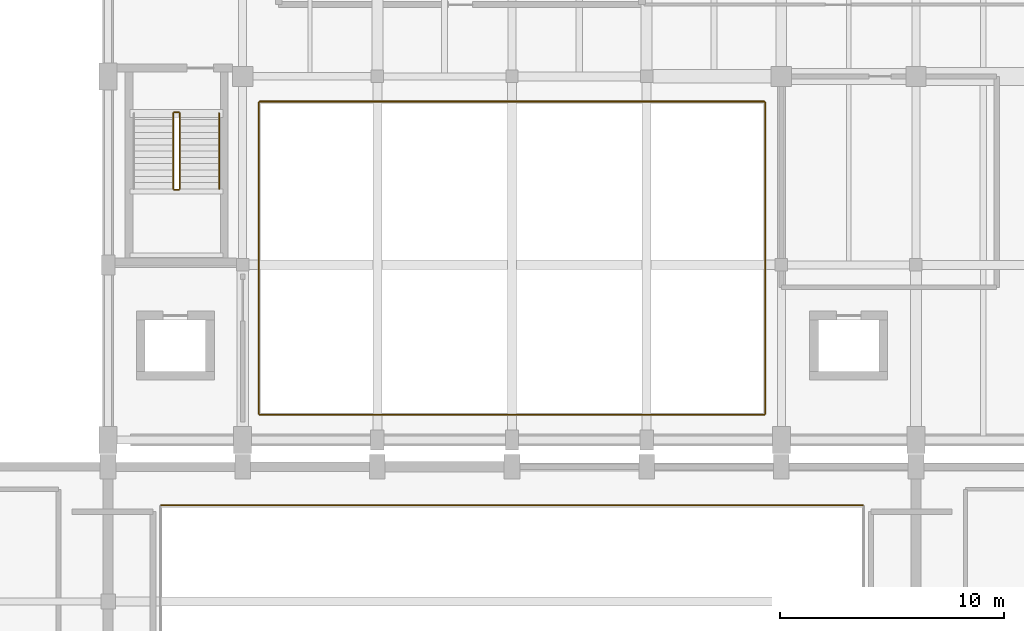
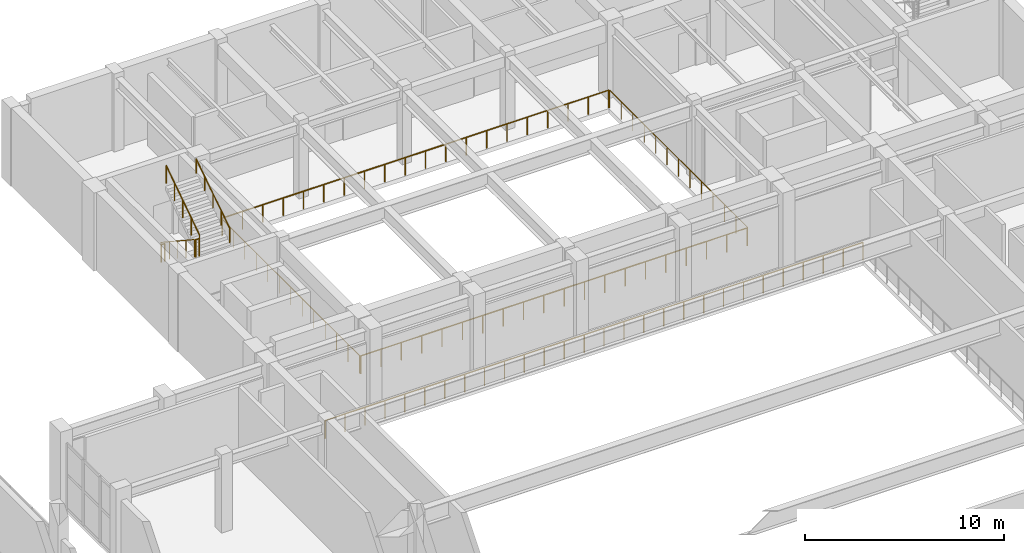
# One storey, part 60 of 62: 10 railings.
"""IFC4 building model written with IfcOpenShell, lengths in metres."""

import ifcopenshell
import ifcopenshell.guid

model = None  # the IFC model being written
_history = None  # IfcOwnerHistory: only IFC2X3 demands one
_inside = {}  # id of a spatial element -> (the spatial element, [elements in it])
_under = {}  # id of a project, library or spatial element -> (it, [spatial elements below it])
_declared = {}  # id of a project -> (the project, [libraries it declares])
_typed = {}  # id of a type object -> (the type object, [elements of that type])
_made_of = {}  # id of a material, layer set ... -> (it, [elements and type objects made of it])


def new_model(schema):
    """Start an empty IFC model of exactly this schema.

    Asked for "IFC4X3", IfcOpenShell would pick the latest addendum, in which some entities
    have other attributes; the version numbers below select the first issue.
    IFC2X3 requires an IfcOwnerHistory on every rooted entity: one is made here for all.
    """
    global model, _history
    if schema == "IFC4X3":
        model = ifcopenshell.file(schema_version=(4, 3, 0, 0))
    else:
        model = ifcopenshell.file(schema=schema)
    _inside.clear()
    _under.clear()
    _declared.clear()
    _typed.clear()
    _made_of.clear()
    _history = None
    if model.schema == "IFC2X3":
        org = make("IfcOrganization", Name="unknown")
        user = make(
            "IfcPersonAndOrganization",
            ThePerson=make("IfcPerson", FamilyName="unknown"),
            TheOrganization=org,
        )
        app = make(
            "IfcApplication",
            ApplicationDeveloper=org,
            Version="unknown",
            ApplicationFullName="unknown",
            ApplicationIdentifier="unknown",
        )
        _history = make(
            "IfcOwnerHistory",
            OwningUser=user,
            OwningApplication=app,
            ChangeAction="ADDED",
            CreationDate=0,
        )
    return model


def make(cls, **values):
    """One entity of the class cls with the attributes given. An attribute that is None is left unset."""
    return model.create_entity(
        cls, **{name: value for name, value in values.items() if value is not None}
    )


def rooted(cls, **values):
    """An entity with a GlobalId (a new one), such as an element, a storey or a relation."""
    return make(cls, GlobalId=ifcopenshell.guid.new(), OwnerHistory=_history, **values)


def si_unit(unit_type, name, prefix=None):
    """IfcSIUnit, for example si_unit("LENGTHUNIT", "METRE", prefix="MILLI")."""
    return make("IfcSIUnit", UnitType=unit_type, Prefix=prefix, Name=name)


def assignment(units):
    """IfcUnitAssignment: the units of a project."""
    return None if units is None else make("IfcUnitAssignment", Units=units)


def point(xyz):
    """IfcCartesianPoint."""
    return None if xyz is None else make("IfcCartesianPoint", Coordinates=xyz)


def direction(xyz):
    """IfcDirection."""
    return None if xyz is None else make("IfcDirection", DirectionRatios=xyz)


def frame(location, z_axis=None, x_axis=None):
    """IfcAxis2Placement3D, a coordinate frame: its origin and axes. An axis left out is left unset."""
    return make(
        "IfcAxis2Placement3D",
        Location=point(location),
        Axis=direction(z_axis),
        RefDirection=direction(x_axis),
    )


def frame_2d(location, x_axis=None):
    """IfcAxis2Placement2D, a coordinate frame in the plane: its origin and x axis."""
    return make(
        "IfcAxis2Placement2D", Location=point(location), RefDirection=direction(x_axis)
    )


def origin():
    """The frame at (0, 0, 0) with its axes left unset."""
    return frame((0.0, 0.0, 0.0))


def origin_2d():
    """The frame at (0, 0) in the plane with its x axis left unset."""
    return frame_2d((0.0, 0.0))


def place(relative_to, where):
    """IfcLocalPlacement: puts the frame where relative to a parent placement (None: the world)."""
    return make(
        "IfcLocalPlacement", PlacementRelTo=relative_to, RelativePlacement=where
    )


def context(
    kind, dimensions, precision=None, world=None, true_north=None, identifier=None
):
    """IfcGeometricRepresentationContext, for example the 3D "Model" context."""
    return make(
        "IfcGeometricRepresentationContext",
        ContextIdentifier=identifier,
        ContextType=kind,
        CoordinateSpaceDimension=dimensions,
        Precision=precision,
        WorldCoordinateSystem=world,
        TrueNorth=true_north,
    )


def subcontext(parent, identifier, kind, view, scale=None):
    """IfcGeometricRepresentationSubContext, for example "Body" below "Model"."""
    return make(
        "IfcGeometricRepresentationSubContext",
        ContextIdentifier=identifier,
        ContextType=kind,
        ParentContext=parent,
        TargetScale=scale,
        TargetView=view,
    )


def project(units=None, contexts=None):
    """IfcProject with its units and contexts."""
    return rooted(
        "IfcProject",
        Name="project",
        RepresentationContexts=contexts,
        UnitsInContext=assignment(units),
    )


def spatial(cls, under=None, at=None, **own):
    """A site, building, storey or space (cls), placed at a placement, below another one or the project."""
    s = rooted(cls, ObjectPlacement=at, **own)
    if under is not None:
        _under.setdefault(under.id(), (under, []))[1].append(s)
    return s


def profile(cls, at=None, kind="AREA", **sizes):
    """A parametric profile (cls). Its sizes go by their IFC names, for example OverallWidth=200.0."""
    return make(cls, ProfileType=kind, Position=at, **sizes)


def circle(**sizes):
    """IfcCircleProfileDef."""
    return profile("IfcCircleProfileDef", **sizes)


def extrude(swept, where, along, depth):
    """IfcExtrudedAreaSolid: the profile swept, set in the frame where, extruded along a direction by depth."""
    return make(
        "IfcExtrudedAreaSolid",
        SweptArea=swept,
        Position=where,
        ExtrudedDirection=direction(along),
        Depth=depth,
    )


def shape(context_of_items, identifier, shape_type, items):
    """IfcShapeRepresentation: the items that make up one representation, for example the "Body"."""
    return make(
        "IfcShapeRepresentation",
        ContextOfItems=context_of_items,
        RepresentationIdentifier=identifier,
        RepresentationType=shape_type,
        Items=items,
    )


def material(Name=None, Category=None):
    """IfcMaterial."""
    return make("IfcMaterial", Name=Name, Category=Category)


def made_of(thing, what):
    """Note that an element or type object is made of a material, layer set ...; save() writes the relation."""
    if what is not None:
        _made_of.setdefault(what.id(), (what, []))[1].append(thing)
    return thing


def type_object(cls, material=None, **own):
    """A type object (cls), such as IfcWallType, which elements share."""
    return made_of(rooted(cls, **own), material)


def element(
    cls,
    number,
    at=None,
    inside=None,
    cuts=None,
    type_object=None,
    material=None,
    context=None,
    identifier="Body",
    shape_type=None,
    held_by="IfcProductDefinitionShape",
    body=None,
    shapes=None,
    **own,
):
    """One element of the class cls, such as IfcWall. Its Tag is "e" and its number.

    at: its placement. inside: the storey or other place that contains it. cuts: it is an
    opening in that element (IfcRelVoidsElement). A single representation is given by context,
    identifier, shape_type and body (its items); several are given by shapes. held_by: the class
    of the entity that holds the representations. save() writes the other relations.
    """
    e = rooted(cls, Tag="e%d" % number, ObjectPlacement=at, **own)
    if body is not None:
        shapes = [shape(context, identifier, shape_type, body)]
    if shapes is not None:
        e.Representation = make(held_by, Representations=shapes)
    if inside is not None:
        _inside.setdefault(inside.id(), (inside, []))[1].append(e)
    if cuts is not None:
        rooted(
            "IfcRelVoidsElement", RelatingBuildingElement=cuts, RelatedOpeningElement=e
        )
    if type_object is not None:
        _typed.setdefault(type_object.id(), (type_object, []))[1].append(e)
    return made_of(e, material)


def aggregate(whole, parts):
    """IfcRelAggregates: a whole, such as a stair, and the parts it consists of."""
    return rooted("IfcRelAggregates", RelatingObject=whole, RelatedObjects=parts)


def save(model, path):
    """Write the relations noted so far, then the file.

    IfcRelAggregates (storeys below a building ...), IfcRelContainedInSpatialStructure (elements
    in a storey), IfcRelDefinesByType, IfcRelAssociatesMaterial and IfcRelDeclares: one each for
    every whole, place, type object, material and project.
    """
    for whole, parts in _under.values():
        aggregate(whole, parts)
    for where, things in _inside.values():
        rooted(
            "IfcRelContainedInSpatialStructure",
            RelatedElements=things,
            RelatingStructure=where,
        )
    for kind, things in _typed.values():
        rooted("IfcRelDefinesByType", RelatedObjects=things, RelatingType=kind)
    for what, things in _made_of.values():
        rooted("IfcRelAssociatesMaterial", RelatedObjects=things, RelatingMaterial=what)
    for by, libraries in _declared.values():
        rooted("IfcRelDeclares", RelatingContext=by, RelatedDefinitions=libraries)
    model.write(path)


model = new_model("IFC4")

# Units and contexts
model_context = context("Model", 3, precision=1e-05, world=origin(), true_north=direction((0.0, 1.0)))
body_context = subcontext(model_context, "Body", "Model", "MODEL_VIEW")
ifc_project = project(units=[si_unit("LENGTHUNIT", "METRE"), si_unit("AREAUNIT", "SQUARE_METRE"), si_unit("VOLUMEUNIT", "CUBIC_METRE"), si_unit("PLANEANGLEUNIT", "RADIAN"), si_unit("MASSUNIT", "GRAM", prefix="KILO")], contexts=[model_context])

# Site, building, storey
site_placement = place(None, origin())
site = spatial("IfcSite", under=ifc_project, at=site_placement, CompositionType="ELEMENT")
building_placement = place(site_placement, origin())
building = spatial("IfcBuilding", under=site, at=building_placement, Name="Vaelkrest Opera House", CompositionType="ELEMENT")
storey_placement = place(building_placement, frame((0.0, 0.0, 19.800048828125)))
storey = spatial("IfcBuildingStorey", under=building, at=storey_placement, Name="L04", CompositionType="ELEMENT", Elevation=19.800048828125)

# Railings
ifc_material = material(Name="Dark bronze anodized aluminium", Category="aluminium")
railing_type_1 = type_object("IfcRailingType", Name="BL01", PredefinedType="BALUSTRADE", material=ifc_material)
railing_1_placement = place(storey_placement, frame((15.639892578125, 14.47998046875, 0.0)))
element("IfcRailing", 1, at=railing_1_placement, inside=storey, type_object=railing_type_1, Name="Atrium/stage void guard V1 L04-1 seg 3", PredefinedType="BALUSTRADE", context=body_context, shape_type="SweptSolid", body=[
    extrude(circle(Radius=0.02392578125, at=origin_2d()), frame((0.0, 0.0, 1.09619140625), z_axis=(-1.0, 0.0, 0.0), x_axis=(0.0, -1.0, 0.0)), (0.0, 0.0, 1.0), 31.27978515625),
    extrude(circle(Radius=0.02099609375, at=origin_2d()), origin(), (0.0, 0.0, 1.0), 1.072021484375),
    extrude(circle(Radius=0.02099609375, at=origin_2d()), frame((-1.158447265625, 0.0, 0.0)), (0.0, 0.0, 1.0), 1.072021484375),
    extrude(circle(Radius=0.02099609375, at=origin_2d()), frame((-2.317138671875, 0.0, 0.0)), (0.0, 0.0, 1.0), 1.072021484375),
    extrude(circle(Radius=0.02099609375, at=origin_2d()), frame((-3.4755859375, 0.0, 0.0)), (0.0, 0.0, 1.0), 1.072021484375),
    extrude(circle(Radius=0.02099609375, at=origin_2d()), frame((-4.634033203125, 0.0, 0.0)), (0.0, 0.0, 1.0), 1.072021484375),
    extrude(circle(Radius=0.02099609375, at=origin_2d()), frame((-5.79248046875, 0.0, 0.0)), (0.0, 0.0, 1.0), 1.072021484375),
    extrude(circle(Radius=0.02099609375, at=origin_2d()), frame((-6.951171875, 0.0, 0.0)), (0.0, 0.0, 1.0), 1.072021484375),
    extrude(circle(Radius=0.02099609375, at=origin_2d()), frame((-8.109619140625, 0.0, 0.0)), (0.0, 0.0, 1.0), 1.072021484375),
    extrude(circle(Radius=0.02099609375, at=origin_2d()), frame((-9.26806640625, 0.0, 0.0)), (0.0, 0.0, 1.0), 1.072021484375),
    extrude(circle(Radius=0.02099609375, at=origin_2d()), frame((-10.426513671875, 0.0, 0.0)), (0.0, 0.0, 1.0), 1.072021484375),
    extrude(circle(Radius=0.02099609375, at=origin_2d()), frame((-11.585205078125, 0.0, 0.0)), (0.0, 0.0, 1.0), 1.072021484375),
    extrude(circle(Radius=0.02099609375, at=origin_2d()), frame((-12.74365234375, 0.0, 0.0)), (0.0, 0.0, 1.0), 1.072021484375),
    extrude(circle(Radius=0.02099609375, at=origin_2d()), frame((-13.902099609375, 0.0, 0.0)), (0.0, 0.0, 1.0), 1.072021484375),
    extrude(circle(Radius=0.02099609375, at=origin_2d()), frame((-15.060546875, 0.0, 0.0)), (0.0, 0.0, 1.0), 1.072021484375),
    extrude(circle(Radius=0.02099609375, at=origin_2d()), frame((-16.21923828125, 0.0, 0.0)), (0.0, 0.0, 1.0), 1.072021484375),
    extrude(circle(Radius=0.02099609375, at=origin_2d()), frame((-17.377685546875, 0.0, 0.0)), (0.0, 0.0, 1.0), 1.072021484375),
    extrude(circle(Radius=0.02099609375, at=origin_2d()), frame((-18.5361328125, 0.0, 0.0)), (0.0, 0.0, 1.0), 1.072021484375),
    extrude(circle(Radius=0.02099609375, at=origin_2d()), frame((-19.694580078125, 0.0, 0.0)), (0.0, 0.0, 1.0), 1.072021484375),
    extrude(circle(Radius=0.02099609375, at=origin_2d()), frame((-20.853271484375, 0.0, 0.0)), (0.0, 0.0, 1.0), 1.072021484375),
    extrude(circle(Radius=0.02099609375, at=origin_2d()), frame((-22.01171875, 0.0, 0.0)), (0.0, 0.0, 1.0), 1.072021484375),
    extrude(circle(Radius=0.02099609375, at=origin_2d()), frame((-23.170166015625, 0.0, 0.0)), (0.0, 0.0, 1.0), 1.072021484375),
    extrude(circle(Radius=0.02099609375, at=origin_2d()), frame((-24.32861328125, 0.0, 0.0)), (0.0, 0.0, 1.0), 1.072021484375),
    extrude(circle(Radius=0.02099609375, at=origin_2d()), frame((-25.4873046875, 0.0, 0.0)), (0.0, 0.0, 1.0), 1.072021484375),
    extrude(circle(Radius=0.02099609375, at=origin_2d()), frame((-26.645751953125, 0.0, 0.0)), (0.0, 0.0, 1.0), 1.072021484375),
    extrude(circle(Radius=0.02099609375, at=origin_2d()), frame((-27.80419921875, 0.0, 0.0)), (0.0, 0.0, 1.0), 1.072021484375),
    extrude(circle(Radius=0.02099609375, at=origin_2d()), frame((-28.962646484375, 0.0, 0.0)), (0.0, 0.0, 1.0), 1.072021484375),
    extrude(circle(Radius=0.02099609375, at=origin_2d()), frame((-30.121337890625, 0.0, 0.0)), (0.0, 0.0, 1.0), 1.072021484375),
    extrude(circle(Radius=0.02099609375, at=origin_2d()), frame((-31.27978515625, 0.0, 0.0)), (0.0, 0.0, 1.0), 1.072021484375),
])
railing_type_2 = type_object("IfcRailingType", Name="GR01", PredefinedType="GUARDRAIL", material=ifc_material)
railing_2_placement = place(storey_placement, frame((-11.239990234375, 18.52001953125, 0.0)))
element("IfcRailing", 2, at=railing_2_placement, inside=storey, type_object=railing_type_2, Name="Atrium/stage void guard V2 L04-1 seg 1", PredefinedType="GUARDRAIL", context=body_context, shape_type="SweptSolid", body=[
    extrude(circle(Radius=0.02392578125, at=origin_2d()), frame((0.0, 0.0, 1.076171875), z_axis=(1.0, 0.0, 0.0), x_axis=(0.0, 1.0, 0.0)), (0.0, 0.0, 1.0), 22.47998046875),
    extrude(circle(Radius=0.02099609375, at=origin_2d()), origin(), (0.0, 0.0, 1.0), 1.052001953125),
    extrude(circle(Radius=0.02099609375, at=origin_2d()), frame((1.18310546875, 0.0, 0.0)), (0.0, 0.0, 1.0), 1.052001953125),
    extrude(circle(Radius=0.02099609375, at=origin_2d()), frame((2.3662109375, 0.0, 0.0)), (0.0, 0.0, 1.0), 1.052001953125),
    extrude(circle(Radius=0.02099609375, at=origin_2d()), frame((3.549560546875, 0.0, 0.0)), (0.0, 0.0, 1.0), 1.052001953125),
    extrude(circle(Radius=0.02099609375, at=origin_2d()), frame((4.732666015625, 0.0, 0.0)), (0.0, 0.0, 1.0), 1.052001953125),
    extrude(circle(Radius=0.02099609375, at=origin_2d()), frame((5.915771484375, 0.0, 0.0)), (0.0, 0.0, 1.0), 1.052001953125),
    extrude(circle(Radius=0.02099609375, at=origin_2d()), frame((7.098876953125, 0.0, 0.0)), (0.0, 0.0, 1.0), 1.052001953125),
    extrude(circle(Radius=0.02099609375, at=origin_2d()), frame((8.281982421875, 0.0, 0.0)), (0.0, 0.0, 1.0), 1.052001953125),
    extrude(circle(Radius=0.02099609375, at=origin_2d()), frame((9.46533203125, 0.0, 0.0)), (0.0, 0.0, 1.0), 1.052001953125),
    extrude(circle(Radius=0.02099609375, at=origin_2d()), frame((10.6484375, 0.0, 0.0)), (0.0, 0.0, 1.0), 1.052001953125),
    extrude(circle(Radius=0.02099609375, at=origin_2d()), frame((11.83154296875, 0.0, 0.0)), (0.0, 0.0, 1.0), 1.052001953125),
    extrude(circle(Radius=0.02099609375, at=origin_2d()), frame((13.0146484375, 0.0, 0.0)), (0.0, 0.0, 1.0), 1.052001953125),
    extrude(circle(Radius=0.02099609375, at=origin_2d()), frame((14.197998046875, 0.0, 0.0)), (0.0, 0.0, 1.0), 1.052001953125),
    extrude(circle(Radius=0.02099609375, at=origin_2d()), frame((15.381103515625, 0.0, 0.0)), (0.0, 0.0, 1.0), 1.052001953125),
    extrude(circle(Radius=0.02099609375, at=origin_2d()), frame((16.564208984375, 0.0, 0.0)), (0.0, 0.0, 1.0), 1.052001953125),
    extrude(circle(Radius=0.02099609375, at=origin_2d()), frame((17.747314453125, 0.0, 0.0)), (0.0, 0.0, 1.0), 1.052001953125),
    extrude(circle(Radius=0.02099609375, at=origin_2d()), frame((18.930419921875, 0.0, 0.0)), (0.0, 0.0, 1.0), 1.052001953125),
    extrude(circle(Radius=0.02099609375, at=origin_2d()), frame((20.11376953125, 0.0, 0.0)), (0.0, 0.0, 1.0), 1.052001953125),
    extrude(circle(Radius=0.02099609375, at=origin_2d()), frame((21.296875, 0.0, 0.0)), (0.0, 0.0, 1.0), 1.052001953125),
    extrude(circle(Radius=0.02099609375, at=origin_2d()), frame((22.47998046875, 0.0, 0.0)), (0.0, 0.0, 1.0), 1.052001953125),
])
railing_3_placement = place(storey_placement, frame((11.280029296875, 18.56005859375, 0.0)))
element("IfcRailing", 3, at=railing_3_placement, inside=storey, type_object=railing_type_2, Name="Atrium/stage void guard V2 L04-1 seg 2", PredefinedType="GUARDRAIL", context=body_context, shape_type="SweptSolid", body=[
    extrude(circle(Radius=0.02392578125, at=origin_2d()), frame((0.0, 0.0, 1.076171875), z_axis=(0.0, 1.0, 0.0), x_axis=(-1.0, 0.0, 0.0)), (0.0, 0.0, 1.0), 13.8798828125),
    extrude(circle(Radius=0.02099609375, at=origin_2d()), origin(), (0.0, 0.0, 1.0), 1.052001953125),
    extrude(circle(Radius=0.02099609375, at=origin_2d()), frame((0.0, 1.15673828125, 0.0)), (0.0, 0.0, 1.0), 1.052001953125),
    extrude(circle(Radius=0.02099609375, at=origin_2d()), frame((0.0, 2.313232421875, 0.0)), (0.0, 0.0, 1.0), 1.052001953125),
    extrude(circle(Radius=0.02099609375, at=origin_2d()), frame((0.0, 3.469970703125, 0.0)), (0.0, 0.0, 1.0), 1.052001953125),
    extrude(circle(Radius=0.02099609375, at=origin_2d()), frame((0.0, 4.626708984375, 0.0)), (0.0, 0.0, 1.0), 1.052001953125),
    extrude(circle(Radius=0.02099609375, at=origin_2d()), frame((0.0, 5.783203125, 0.0)), (0.0, 0.0, 1.0), 1.052001953125),
    extrude(circle(Radius=0.02099609375, at=origin_2d()), frame((0.0, 6.93994140625, 0.0)), (0.0, 0.0, 1.0), 1.052001953125),
    extrude(circle(Radius=0.02099609375, at=origin_2d()), frame((0.0, 8.0966796875, 0.0)), (0.0, 0.0, 1.0), 1.052001953125),
    extrude(circle(Radius=0.02099609375, at=origin_2d()), frame((0.0, 9.253173828125, 0.0)), (0.0, 0.0, 1.0), 1.052001953125),
    extrude(circle(Radius=0.02099609375, at=origin_2d()), frame((0.0, 10.409912109375, 0.0)), (0.0, 0.0, 1.0), 1.052001953125),
    extrude(circle(Radius=0.02099609375, at=origin_2d()), frame((0.0, 11.566650390625, 0.0)), (0.0, 0.0, 1.0), 1.052001953125),
    extrude(circle(Radius=0.02099609375, at=origin_2d()), frame((0.0, 12.72314453125, 0.0)), (0.0, 0.0, 1.0), 1.052001953125),
    extrude(circle(Radius=0.02099609375, at=origin_2d()), frame((0.0, 13.8798828125, 0.0)), (0.0, 0.0, 1.0), 1.052001953125),
])
railing_4_placement = place(storey_placement, frame((11.239990234375, 32.47998046875, 0.0)))
element("IfcRailing", 4, at=railing_4_placement, inside=storey, type_object=railing_type_2, Name="Atrium/stage void guard V2 L04-1 seg 3", PredefinedType="GUARDRAIL", context=body_context, shape_type="SweptSolid", body=[
    extrude(circle(Radius=0.02392578125, at=origin_2d()), frame((0.0, 0.0, 1.076171875), z_axis=(-1.0, 0.0, 0.0), x_axis=(0.0, -1.0, 0.0)), (0.0, 0.0, 1.0), 22.47998046875),
    extrude(circle(Radius=0.02099609375, at=origin_2d()), origin(), (0.0, 0.0, 1.0), 1.052001953125),
    extrude(circle(Radius=0.02099609375, at=origin_2d()), frame((-1.18310546875, 0.0, 0.0)), (0.0, 0.0, 1.0), 1.052001953125),
    extrude(circle(Radius=0.02099609375, at=origin_2d()), frame((-2.3662109375, 0.0, 0.0)), (0.0, 0.0, 1.0), 1.052001953125),
    extrude(circle(Radius=0.02099609375, at=origin_2d()), frame((-3.549560546875, 0.0, 0.0)), (0.0, 0.0, 1.0), 1.052001953125),
    extrude(circle(Radius=0.02099609375, at=origin_2d()), frame((-4.732666015625, 0.0, 0.0)), (0.0, 0.0, 1.0), 1.052001953125),
    extrude(circle(Radius=0.02099609375, at=origin_2d()), frame((-5.915771484375, 0.0, 0.0)), (0.0, 0.0, 1.0), 1.052001953125),
    extrude(circle(Radius=0.02099609375, at=origin_2d()), frame((-7.098876953125, 0.0, 0.0)), (0.0, 0.0, 1.0), 1.052001953125),
    extrude(circle(Radius=0.02099609375, at=origin_2d()), frame((-8.281982421875, 0.0, 0.0)), (0.0, 0.0, 1.0), 1.052001953125),
    extrude(circle(Radius=0.02099609375, at=origin_2d()), frame((-9.46533203125, 0.0, 0.0)), (0.0, 0.0, 1.0), 1.052001953125),
    extrude(circle(Radius=0.02099609375, at=origin_2d()), frame((-10.6484375, 0.0, 0.0)), (0.0, 0.0, 1.0), 1.052001953125),
    extrude(circle(Radius=0.02099609375, at=origin_2d()), frame((-11.83154296875, 0.0, 0.0)), (0.0, 0.0, 1.0), 1.052001953125),
    extrude(circle(Radius=0.02099609375, at=origin_2d()), frame((-13.0146484375, 0.0, 0.0)), (0.0, 0.0, 1.0), 1.052001953125),
    extrude(circle(Radius=0.02099609375, at=origin_2d()), frame((-14.197998046875, 0.0, 0.0)), (0.0, 0.0, 1.0), 1.052001953125),
    extrude(circle(Radius=0.02099609375, at=origin_2d()), frame((-15.381103515625, 0.0, 0.0)), (0.0, 0.0, 1.0), 1.052001953125),
    extrude(circle(Radius=0.02099609375, at=origin_2d()), frame((-16.564208984375, 0.0, 0.0)), (0.0, 0.0, 1.0), 1.052001953125),
    extrude(circle(Radius=0.02099609375, at=origin_2d()), frame((-17.747314453125, 0.0, 0.0)), (0.0, 0.0, 1.0), 1.052001953125),
    extrude(circle(Radius=0.02099609375, at=origin_2d()), frame((-18.930419921875, 0.0, 0.0)), (0.0, 0.0, 1.0), 1.052001953125),
    extrude(circle(Radius=0.02099609375, at=origin_2d()), frame((-20.11376953125, 0.0, 0.0)), (0.0, 0.0, 1.0), 1.052001953125),
    extrude(circle(Radius=0.02099609375, at=origin_2d()), frame((-21.296875, 0.0, 0.0)), (0.0, 0.0, 1.0), 1.052001953125),
    extrude(circle(Radius=0.02099609375, at=origin_2d()), frame((-22.47998046875, 0.0, 0.0)), (0.0, 0.0, 1.0), 1.052001953125),
])
railing_5_placement = place(storey_placement, frame((-11.280029296875, 32.43994140625, 0.0)))
element("IfcRailing", 5, at=railing_5_placement, inside=storey, type_object=railing_type_2, Name="Atrium/stage void guard V2 L04-1 seg 4", PredefinedType="GUARDRAIL", context=body_context, shape_type="SweptSolid", body=[
    extrude(circle(Radius=0.02392578125, at=origin_2d()), frame((0.0, 0.0, 1.076171875), z_axis=(0.0, -1.0, 0.0), x_axis=(1.0, 0.0, 0.0)), (0.0, 0.0, 1.0), 13.8798828125),
    extrude(circle(Radius=0.02099609375, at=origin_2d()), origin(), (0.0, 0.0, 1.0), 1.052001953125),
    extrude(circle(Radius=0.02099609375, at=origin_2d()), frame((0.0, -1.15673828125, 0.0)), (0.0, 0.0, 1.0), 1.052001953125),
    extrude(circle(Radius=0.02099609375, at=origin_2d()), frame((0.0, -2.313232421875, 0.0)), (0.0, 0.0, 1.0), 1.052001953125),
    extrude(circle(Radius=0.02099609375, at=origin_2d()), frame((0.0, -3.469970703125, 0.0)), (0.0, 0.0, 1.0), 1.052001953125),
    extrude(circle(Radius=0.02099609375, at=origin_2d()), frame((0.0, -4.626708984375, 0.0)), (0.0, 0.0, 1.0), 1.052001953125),
    extrude(circle(Radius=0.02099609375, at=origin_2d()), frame((0.0, -5.783203125, 0.0)), (0.0, 0.0, 1.0), 1.052001953125),
    extrude(circle(Radius=0.02099609375, at=origin_2d()), frame((0.0, -6.93994140625, 0.0)), (0.0, 0.0, 1.0), 1.052001953125),
    extrude(circle(Radius=0.02099609375, at=origin_2d()), frame((0.0, -8.0966796875, 0.0)), (0.0, 0.0, 1.0), 1.052001953125),
    extrude(circle(Radius=0.02099609375, at=origin_2d()), frame((0.0, -9.253173828125, 0.0)), (0.0, 0.0, 1.0), 1.052001953125),
    extrude(circle(Radius=0.02099609375, at=origin_2d()), frame((0.0, -10.409912109375, 0.0)), (0.0, 0.0, 1.0), 1.052001953125),
    extrude(circle(Radius=0.02099609375, at=origin_2d()), frame((0.0, -11.566650390625, 0.0)), (0.0, 0.0, 1.0), 1.052001953125),
    extrude(circle(Radius=0.02099609375, at=origin_2d()), frame((0.0, -12.72314453125, 0.0)), (0.0, 0.0, 1.0), 1.052001953125),
    extrude(circle(Radius=0.02099609375, at=origin_2d()), frame((0.0, -13.8798828125, 0.0)), (0.0, 0.0, 1.0), 1.052001953125),
])
railing_type_3 = type_object("IfcRailingType", Name="GR02", PredefinedType="GUARDRAIL", material=ifc_material)
railing_6_placement = place(storey_placement, frame((-15.10009765625, 31.949951171875, 0.1845703125)))
element("IfcRailing", 6, at=railing_6_placement, inside=storey, type_object=railing_type_3, Name="L04 ST05 stair guard 1", PredefinedType="GUARDRAIL", context=body_context, shape_type="SweptSolid", body=[
    extrude(circle(Radius=0.02392578125, at=origin_2d()), frame((0.0, 0.0, 1.076171875), z_axis=(0.0, -0.834858096282, 0.550465220583), x_axis=(1.0, 0.0, 0.0)), (0.0, 0.0, 1.0), 4.0244140625),
    extrude(circle(Radius=0.02099609375, at=origin_2d()), origin(), (0.0, 0.0, 1.0), 1.052001953125),
    extrude(circle(Radius=0.02099609375, at=origin_2d()), frame((0.0, -0.83984375, 0.5537109375)), (0.0, 0.0, 1.0), 1.052001953125),
    extrude(circle(Radius=0.02099609375, at=origin_2d()), frame((0.0, -1.679931640625, 1.107666015625)), (0.0, 0.0, 1.0), 1.052001953125),
    extrude(circle(Radius=0.02099609375, at=origin_2d()), frame((0.0, -2.52001953125, 1.66162109375)), (0.0, 0.0, 1.0), 1.052001953125),
    extrude(circle(Radius=0.02099609375, at=origin_2d()), frame((0.0, -3.35986328125, 2.21533203125)), (0.0, 0.0, 1.0), 1.052001953125),
])
railing_7_placement = place(storey_placement, frame((-15.050048828125, 28.5400390625, 2.39990234375)))
element("IfcRailing", 7, at=railing_7_placement, inside=storey, type_object=railing_type_3, Name="L04 ST05 stair guard 2", PredefinedType="GUARDRAIL", context=body_context, shape_type="SweptSolid", body=[
    extrude(circle(Radius=0.02392578125, at=origin_2d()), frame((0.0, 0.0, 1.076171875), z_axis=(1.0, 0.0, 0.0), x_axis=(0.0, 1.0, 0.0)), (0.0, 0.0, 1.0), 0.199951171875),
    extrude(circle(Radius=0.02099609375, at=origin_2d()), origin(), (0.0, 0.0, 1.0), 1.052001953125),
    extrude(circle(Radius=0.02099609375, at=origin_2d()), frame((0.199951171875, 0.0, 0.0)), (0.0, 0.0, 1.0), 1.052001953125),
])
railing_8_placement = place(storey_placement, frame((-14.800048828125, 28.590087890625, 2.58447265625)))
element("IfcRailing", 8, at=railing_8_placement, inside=storey, type_object=railing_type_3, Name="L04 ST05 stair guard 3", PredefinedType="GUARDRAIL", context=body_context, shape_type="SweptSolid", body=[
    extrude(circle(Radius=0.02392578125, at=origin_2d()), frame((0.0, 0.0, 1.076171875), z_axis=(0.0, 0.83483021737, 0.550507500554), x_axis=(-1.0, 0.0, 0.0)), (0.0, 0.0, 1.0), 4.024658203125),
    extrude(circle(Radius=0.02099609375, at=origin_2d()), origin(), (0.0, 0.0, 1.0), 1.052001953125),
    extrude(circle(Radius=0.02099609375, at=origin_2d()), frame((0.0, 0.83984375, 0.553955078125)), (0.0, 0.0, 1.0), 1.052001953125),
    extrude(circle(Radius=0.02099609375, at=origin_2d()), frame((0.0, 1.679931640625, 1.10791015625)), (0.0, 0.0, 1.0), 1.052001953125),
    extrude(circle(Radius=0.02099609375, at=origin_2d()), frame((0.0, 2.52001953125, 1.66162109375)), (0.0, 0.0, 1.0), 1.052001953125),
    extrude(circle(Radius=0.02099609375, at=origin_2d()), frame((0.0, 3.35986328125, 2.215576171875)), (0.0, 0.0, 1.0), 1.052001953125),
])
railing_9_placement = place(storey_placement, frame((-15.050048828125, 32.0, 0.0)))
element("IfcRailing", 9, at=railing_9_placement, inside=storey, type_object=railing_type_3, Name="L04 ST05 stair guard 4", PredefinedType="GUARDRAIL", context=body_context, shape_type="SweptSolid", body=[
    extrude(circle(Radius=0.02392578125, at=origin_2d()), frame((0.0, 0.0, 1.076171875), z_axis=(1.0, 0.0, 0.0), x_axis=(0.0, 1.0, 0.0)), (0.0, 0.0, 1.0), 0.199951171875),
    extrude(circle(Radius=0.02099609375, at=origin_2d()), origin(), (0.0, 0.0, 1.0), 1.052001953125),
    extrude(circle(Radius=0.02099609375, at=origin_2d()), frame((0.199951171875, 0.0, 0.0)), (0.0, 0.0, 1.0), 1.052001953125),
])
railing_type_4 = type_object("IfcRailingType", Name="HR02", PredefinedType="HANDRAIL", material=ifc_material)
railing_10_placement = place(storey_placement, frame((-13.050048828125, 28.590087890625, 2.58447265625)))
element("IfcRailing", 10, at=railing_10_placement, inside=storey, type_object=railing_type_4, Name="L04 ST05 stair handrail 2", PredefinedType="HANDRAIL", context=body_context, shape_type="SweptSolid", body=[
    extrude(circle(Radius=0.02392578125, at=origin_2d()), frame((0.0, 0.0, 0.8759765625), z_axis=(0.0, 0.83483021737, 0.550507500554), x_axis=(-1.0, 0.0, 0.0)), (0.0, 0.0, 1.0), 4.024658203125),
    extrude(circle(Radius=0.02099609375, at=origin_2d()), origin(), (0.0, 0.0, 1.0), 0.851806640625),
    extrude(circle(Radius=0.02099609375, at=origin_2d()), frame((0.0, 0.83984375, 0.553955078125)), (0.0, 0.0, 1.0), 0.851806640625),
    extrude(circle(Radius=0.02099609375, at=origin_2d()), frame((0.0, 1.679931640625, 1.10791015625)), (0.0, 0.0, 1.0), 0.851806640625),
    extrude(circle(Radius=0.02099609375, at=origin_2d()), frame((0.0, 2.52001953125, 1.66162109375)), (0.0, 0.0, 1.0), 0.851806640625),
    extrude(circle(Radius=0.02099609375, at=origin_2d()), frame((0.0, 3.35986328125, 2.215576171875)), (0.0, 0.0, 1.0), 0.851806640625),
])

save(model, "model.ifc")
